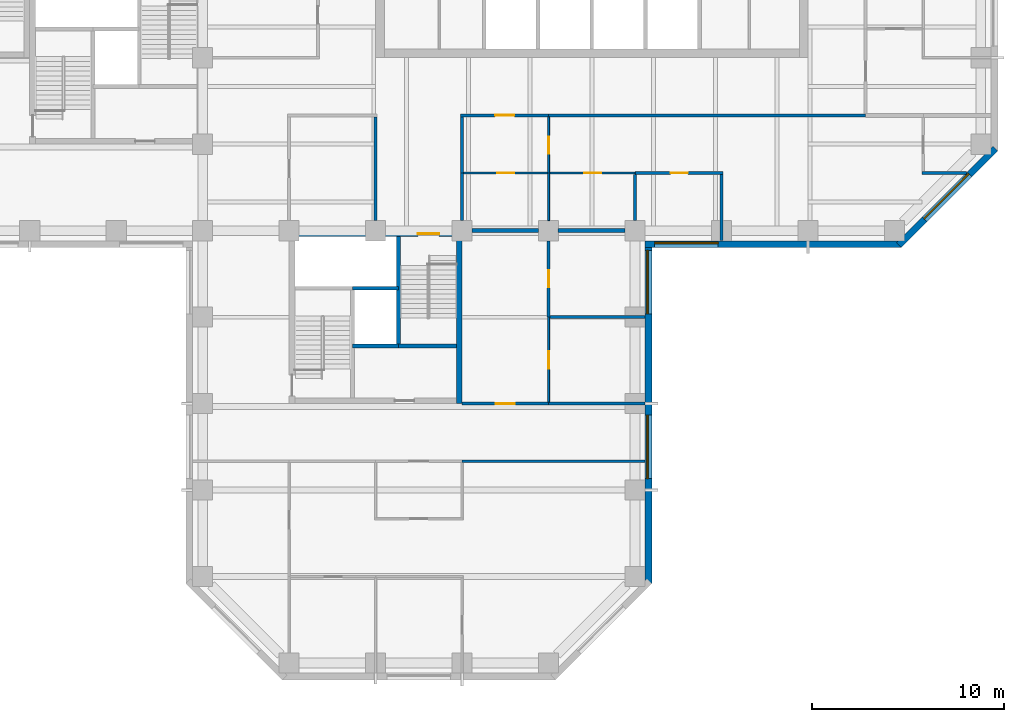
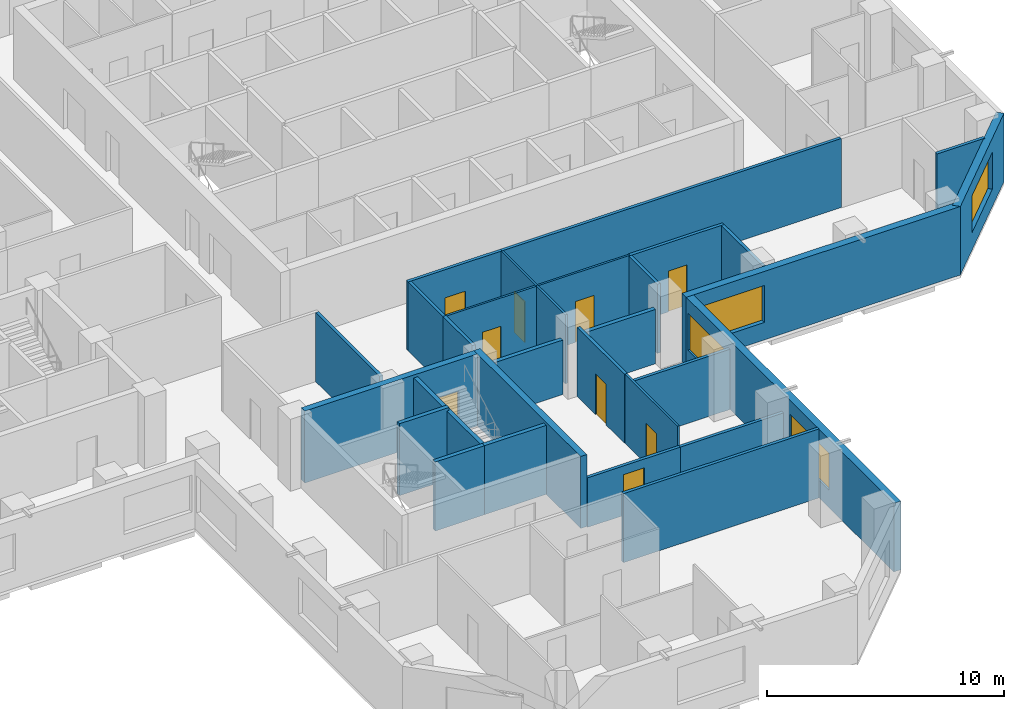
# One storey, part 4 of 11: 30 walls, 9 doors, 4 windows, 13 openings.
"""IFC4 building model written with IfcOpenShell, lengths in metres."""

from ifc_helpers import new_model, si_unit, direction, frame, frame_2d, origin, place, context, subcontext, project, spatial, rectangle, extrude, material, layer, layer_set, constituent, constituent_set, type_object, element, fill, save


model = new_model("IFC4")

# Units and contexts
model_context = context("Model", 3, precision=1e-05, world=origin(), true_north=direction((0.0, 1.0)))
body_context = subcontext(model_context, "Body", "Model", "MODEL_VIEW")
ifc_project = project(units=[si_unit("LENGTHUNIT", "METRE"), si_unit("AREAUNIT", "SQUARE_METRE"), si_unit("VOLUMEUNIT", "CUBIC_METRE"), si_unit("PLANEANGLEUNIT", "RADIAN"), si_unit("MASSUNIT", "GRAM", prefix="KILO")], contexts=[model_context])

# Site, building, storey
site_placement = place(None, origin())
site = spatial("IfcSite", under=ifc_project, at=site_placement, CompositionType="ELEMENT")
building_placement = place(site_placement, origin())
building = spatial("IfcBuilding", under=site, at=building_placement, Name="Quoin Convention Tower", CompositionType="ELEMENT")
storey_placement = place(building_placement, frame((0.0, 0.0, 108.5)))
storey = spatial("IfcBuildingStorey", under=building, at=storey_placement, Name="L28", CompositionType="ELEMENT", Elevation=108.5)

# Wall, opening, door
ifc_material_1 = material(Name="Plasterboard")
ifc_layer_1 = layer(ifc_material_1, 0.012451171875, Name="Finish")
ifc_material_2 = material(Name="Steel stud framing", Category="steel")
ifc_layer_2 = layer(ifc_material_2, 0.125, Name="Structure")
ifc_layer_3 = layer(ifc_material_1, 0.012451171875, Name="Finish")
ifc_layer_set_1 = layer_set([ifc_layer_1, ifc_layer_2, ifc_layer_3], Name="Steel stud framing")
wall_type_1 = type_object("IfcWallType", Name="Acoustic partition 150", PredefinedType="PARTITIONING", material=ifc_layer_set_1)
wall_1_placement = place(storey_placement, frame((58.5, 43.5, 0.0), z_axis=(0.0, 0.0, 1.0), x_axis=(1.0, 0.0, 0.0)))
wall_1 = element("IfcWall", 1, at=wall_1_placement, inside=storey, type_object=wall_type_1, Name="pw-L28-015", PredefinedType="PARTITIONING", context=body_context, shape_type="SweptSolid", body=[
    extrude(rectangle(XDim=4.574951171875, YDim=0.14990234375, at=frame_2d((2.28759765625, 0.0))), origin(), (0.0, 0.0, 1.0), 3.550048828125),
])
opening_1_placement = place(wall_1_placement, frame((1.85009765625, 0.0, 0.0)))
opening_1 = element("IfcOpeningElement", 2, at=opening_1_placement, cuts=wall_1, Name="Opening DOL5-07", PredefinedType="OPENING", context=body_context, shape_type="SweptSolid", body=[
    extrude(rectangle(XDim=0.89990234375, YDim=2.10009765625, at=frame_2d((0.449951171875, 1.050048828125))), frame((0.0, 0.0849609375, 0.0), z_axis=(0.0, -1.0, 0.0), x_axis=(1.0, 0.0, 0.0)), (0.0, 0.0, 1.0), 0.169921875),
])
ifc_material_3 = material(Name="Steel door leaf", Category="steel")
door_type_1 = type_object("IfcDoorType", Name="Office door 900 x 2100", OperationType="SINGLE_SWING_RIGHT", PredefinedType="DOOR", material=ifc_material_3)
door_1_placement = place(opening_1_placement, origin())
door_1 = element("IfcDoor", 3, at=door_1_placement, inside=storey, type_object=door_type_1, Name="dr-L28-27", OperationType="SINGLE_SWING_RIGHT", OverallHeight=2.10009765625, OverallWidth=0.89990234375, PredefinedType="DOOR", context=body_context, shape_type="SweptSolid", body=[
    extrude(rectangle(XDim=0.89990234375, YDim=2.10009765625, at=frame_2d((0.449951171875, 1.050048828125))), frame((0.0, 0.02490234375, 0.0), z_axis=(0.0, -1.0, 0.0), x_axis=(1.0, 0.0, 0.0)), (0.0, 0.0, 1.0), 0.050048828125),
])
fill(opening_1, door_1)

wall_2_placement = place(storey_placement, frame((54.0, 36.0, 0.0), z_axis=(0.0, 0.0, 1.0), x_axis=(0.0, 1.0, 0.0)))
wall_2 = element("IfcWall", 4, at=wall_2_placement, inside=storey, type_object=wall_type_1, Name="pw-L28-070", PredefinedType="PARTITIONING", context=body_context, shape_type="SweptSolid", body=[
    extrude(rectangle(XDim=3.97509765625, YDim=0.14990234375, at=frame_2d((1.987548828125, 0.0))), origin(), (0.0, 0.0, 1.0), 3.550048828125),
])
opening_2_placement = place(wall_2_placement, frame((1.550048828125, 0.0, 0.0)))
opening_2 = element("IfcOpeningElement", 5, at=opening_2_placement, cuts=wall_2, Name="Opening DOL5-27", PredefinedType="OPENING", context=body_context, shape_type="SweptSolid", body=[
    extrude(rectangle(XDim=0.89990234375, YDim=2.10009765625, at=frame_2d((0.449951171875, 1.050048828125))), frame((0.0, 0.0849609375, 0.0), z_axis=(0.0, -1.0, 0.0), x_axis=(1.0, 0.0, 0.0)), (0.0, 0.0, 1.0), 0.169921875),
])
door_2_placement = place(opening_2_placement, origin())
door_2 = element("IfcDoor", 6, at=door_2_placement, inside=storey, type_object=door_type_1, Name="dr-L28-21", OperationType="SINGLE_SWING_RIGHT", OverallHeight=2.10009765625, OverallWidth=0.89990234375, PredefinedType="DOOR", context=body_context, shape_type="SweptSolid", body=[
    extrude(rectangle(XDim=0.89990234375, YDim=2.10009765625, at=frame_2d((0.449951171875, 1.050048828125))), frame((0.0, 0.02490234375, 0.0), z_axis=(0.0, -1.0, 0.0), x_axis=(1.0, 0.0, 0.0)), (0.0, 0.0, 1.0), 0.050048828125),
])
fill(opening_2, door_2)

# Walls
wall_3_placement = place(storey_placement, frame((63.0, 39.97509765625, 0.0), z_axis=(0.0, 0.0, 1.0), x_axis=(0.0, 1.0, 0.0)))
element("IfcWall", 7, at=wall_3_placement, inside=storey, type_object=wall_type_1, Name="pw-L28-072", PredefinedType="PARTITIONING", context=body_context, shape_type="SweptSolid", body=[
    extrude(rectangle(XDim=3.449951171875, YDim=0.14990234375, at=frame_2d((1.72509765625, 0.0))), origin(), (0.0, 0.0, 1.0), 3.550048828125),
])
wall_4_placement = place(storey_placement, frame((58.5, 41.02490234375, 0.0), z_axis=(0.0, 0.0, 1.0), x_axis=(0.0, 1.0, 0.0)))
element("IfcWall", 8, at=wall_4_placement, inside=storey, type_object=wall_type_1, Name="pw-L28-077", PredefinedType="PARTITIONING", context=body_context, shape_type="SweptSolid", body=[
    extrude(rectangle(XDim=2.400146484375, YDim=0.14990234375, at=frame_2d((1.2001953125, 0.0))), origin(), (0.0, 0.0, 1.0), 3.550048828125),
])
ifc_layer_4 = layer(ifc_material_1, 0.012451171875, Name="Finish")
ifc_layer_5 = layer(ifc_material_2, 0.125, Name="Structure")
ifc_layer_6 = layer(ifc_material_1, 0.012451171875, Name="Finish")
ifc_layer_set_2 = layer_set([ifc_layer_4, ifc_layer_5, ifc_layer_6], Name="Steel stud framing")
wall_type_2 = type_object("IfcWallType", Name="Acoustic partition 150 under beam 454", PredefinedType="PARTITIONING", material=ifc_layer_set_2)
wall_5_placement = place(storey_placement, frame((54.074951171875, 36.0, 0.0), z_axis=(0.0, 0.0, 1.0), x_axis=(1.0, 0.0, 0.0)))
element("IfcWall", 9, at=wall_5_placement, inside=storey, type_object=wall_type_2, Name="pw-L28-010", PredefinedType="PARTITIONING", context=body_context, shape_type="SweptSolid", body=[
    extrude(rectangle(XDim=4.949951171875, YDim=0.14990234375, at=frame_2d((2.47509765625, 0.0))), origin(), (0.0, 0.0, 1.0), 3.095947265625),
])

# Wall, opening, window
ifc_material_4 = material(Name="Brick masonry", Category="masonry")
ifc_layer_7 = layer(ifc_material_4, 0.35009765625)
ifc_layer_set_3 = layer_set([ifc_layer_7], Name="Brick masonry")
wall_type_3 = type_object("IfcWallType", Name="Brick facade wall", PredefinedType="STANDARD", material=ifc_layer_set_3)
wall_6_placement = place(storey_placement, frame((59.02490234375, 39.800048828125, 0.0), z_axis=(0.0, 0.0, 1.0), x_axis=(1.0, 0.0, 0.0)))
wall_6 = element("IfcWall", 10, at=wall_6_placement, inside=storey, type_object=wall_type_3, Name="fw-L28-58500_40500", PredefinedType="STANDARD", context=body_context, shape_type="SweptSolid", body=[
    extrude(rectangle(XDim=13.33740234375, YDim=0.35009765625, at=frame_2d((6.668701171875, 0.0))), origin(), (0.0, 0.0, 1.0), 3.52490234375),
])
opening_3_placement = place(wall_6_placement, frame((0.5, 0.0, 0.89990234375)))
opening_3 = element("IfcOpeningElement", 11, at=opening_3_placement, cuts=wall_6, Name="Opening W-02", PredefinedType="OPENING", context=body_context, shape_type="SweptSolid", body=[
    extrude(rectangle(XDim=3.300048828125, YDim=1.89990234375, at=frame_2d((1.64990234375, 0.949951171875))), frame((0.0, 0.18505859375, 0.0), z_axis=(0.0, -1.0, 0.0), x_axis=(1.0, 0.0, 0.0)), (0.0, 0.0, 1.0), 0.3701171875),
])
ifc_material_5 = material(Name="Aluminium", Category="aluminium")
ifc_constituent_1 = constituent(ifc_material_5, Name="Frame")
ifc_material_6 = material(Name="Insulated glass", Category="glass")
ifc_constituent_2 = constituent(ifc_material_6, Name="Glazing")
ifc_constituent_set = constituent_set(constituents=[ifc_constituent_1, ifc_constituent_2], Name="Aluminium")
window_type = type_object("IfcWindowType", Name="Office window", PartitioningType="DOUBLE_PANEL_VERTICAL", PredefinedType="WINDOW", material=ifc_constituent_set)
window_1_placement = place(opening_3_placement, origin())
window_1 = element("IfcWindow", 12, at=window_1_placement, inside=storey, type_object=window_type, Name="win-L28-60750_39800", OverallHeight=1.89990234375, OverallWidth=3.300048828125, PartitioningType="SINGLE_PANEL", PredefinedType="WINDOW", context=body_context, shape_type="SweptSolid", body=[
    extrude(rectangle(XDim=3.300048828125, YDim=1.89990234375, at=frame_2d((1.64990234375, 0.949951171875))), frame((0.0, 0.0849609375, 0.0), z_axis=(0.0, -1.0, 0.0), x_axis=(1.0, 0.0, 0.0)), (0.0, 0.0, 1.0), 0.06005859375),
])
fill(opening_3, window_1)

wall_7_placement = place(storey_placement, frame((72.23876953125, 39.748779296875, 0.0), z_axis=(0.0, 0.0, 1.0), x_axis=(0.707106781187, 0.707106781187, 0.0)))
wall_7 = element("IfcWall", 13, at=wall_7_placement, inside=storey, type_object=wall_type_3, Name="fw-L28-72000_40500", PredefinedType="STANDARD", context=body_context, shape_type="SweptSolid", body=[
    extrude(rectangle(XDim=7.088623046875, YDim=0.35009765625, at=frame_2d((3.54443359375, 0.0))), origin(), (0.0, 0.0, 1.0), 3.52490234375),
])
opening_4_placement = place(wall_7_placement, frame((1.894287109375, 0.0, 0.89990234375)))
opening_4 = element("IfcOpeningElement", 14, at=opening_4_placement, cuts=wall_7, Name="Opening W-02", PredefinedType="OPENING", context=body_context, shape_type="SweptSolid", body=[
    extrude(rectangle(XDim=3.300048828125, YDim=1.89990234375, at=frame_2d((1.64990234375, 0.949951171875))), frame((0.0, 0.18505859375, 0.0), z_axis=(0.0, -1.0, 0.0), x_axis=(1.0, 0.0, 0.0)), (0.0, 0.0, 1.0), 0.3701171875),
])
window_2_placement = place(opening_4_placement, origin())
window_2 = element("IfcWindow", 15, at=window_2_placement, inside=storey, type_object=window_type, Name="win-L28-74745_42255", OverallHeight=1.89990234375, OverallWidth=3.300048828125, PartitioningType="SINGLE_PANEL", PredefinedType="WINDOW", context=body_context, shape_type="SweptSolid", body=[
    extrude(rectangle(XDim=3.300048828125, YDim=1.89990234375, at=frame_2d((1.64990234375, 0.949951171875))), frame((0.0, 0.0849609375, 0.0), z_axis=(0.0, -1.0, 0.0), x_axis=(1.0, 0.0, 0.0)), (0.0, 0.0, 1.0), 0.06005859375),
])
fill(opening_4, window_2)

# Wall, openings, windows
wall_8_placement = place(storey_placement, frame((59.199951171875, 22.1376953125, 0.0), z_axis=(0.0, 0.0, 1.0), x_axis=(0.0, 1.0, 0.0)))
wall_8 = element("IfcWall", 16, at=wall_8_placement, inside=storey, type_object=wall_type_3, Name="fw-L28-58500_22500", PredefinedType="STANDARD", context=body_context, shape_type="SweptSolid", body=[
    extrude(rectangle(XDim=17.83740234375, YDim=0.35009765625, at=frame_2d((8.918701171875, 0.0))), origin(), (0.0, 0.0, 1.0), 3.52490234375),
])
opening_5_placement = place(wall_8_placement, frame((5.46240234375, 0.0, 0.89990234375)))
opening_5 = element("IfcOpeningElement", 17, at=opening_5_placement, cuts=wall_8, Name="Opening W-02", PredefinedType="OPENING", context=body_context, shape_type="SweptSolid", body=[
    extrude(rectangle(XDim=3.300048828125, YDim=1.89990234375, at=frame_2d((1.64990234375, 0.949951171875))), frame((0.0, 0.18505859375, 0.0), z_axis=(0.0, -1.0, 0.0), x_axis=(1.0, 0.0, 0.0)), (0.0, 0.0, 1.0), 0.3701171875),
])
opening_6_placement = place(wall_8_placement, frame((14.037353515625, 0.0, 0.89990234375)))
opening_6 = element("IfcOpeningElement", 18, at=opening_6_placement, cuts=wall_8, Name="Opening W-02", PredefinedType="OPENING", context=body_context, shape_type="SweptSolid", body=[
    extrude(rectangle(XDim=3.300048828125, YDim=1.89990234375, at=frame_2d((1.64990234375, 0.949951171875))), frame((0.0, 0.18505859375, 0.0), z_axis=(0.0, -1.0, 0.0), x_axis=(1.0, 0.0, 0.0)), (0.0, 0.0, 1.0), 0.3701171875),
])
window_3_placement = place(opening_5_placement, origin())
window_3 = element("IfcWindow", 19, at=window_3_placement, inside=storey, type_object=window_type, Name="win-L28-59200_29250", OverallHeight=1.89990234375, OverallWidth=3.300048828125, PartitioningType="SINGLE_PANEL", PredefinedType="WINDOW", context=body_context, shape_type="SweptSolid", body=[
    extrude(rectangle(XDim=3.300048828125, YDim=1.89990234375, at=frame_2d((1.64990234375, 0.949951171875))), frame((0.0, 0.0849609375, 0.0), z_axis=(0.0, -1.0, 0.0), x_axis=(1.0, 0.0, 0.0)), (0.0, 0.0, 1.0), 0.06005859375),
])
fill(opening_5, window_3)
window_4_placement = place(opening_6_placement, origin())
window_4 = element("IfcWindow", 20, at=window_4_placement, inside=storey, type_object=window_type, Name="win-L28-59200_38250", OverallHeight=1.89990234375, OverallWidth=3.300048828125, PartitioningType="SINGLE_PANEL", PredefinedType="WINDOW", context=body_context, shape_type="SweptSolid", body=[
    extrude(rectangle(XDim=3.300048828125, YDim=1.89990234375, at=frame_2d((1.64990234375, 0.949951171875))), frame((0.0, 0.0849609375, 0.0), z_axis=(0.0, -1.0, 0.0), x_axis=(1.0, 0.0, 0.0)), (0.0, 0.0, 1.0), 0.06005859375),
])
fill(opening_6, window_4)

# Walls
ifc_material_7 = material(Name="Concrete C50", Category="concrete")
ifc_layer_8 = layer(ifc_material_7, 0.199951171875)
ifc_layer_set_4 = layer_set([ifc_layer_8], Name="Concrete C50")
wall_type_4 = type_object("IfcWallType", Name="Core shaft wall", PredefinedType="SOLIDWALL", material=ifc_layer_set_4)
wall_9_placement = place(storey_placement, frame((43.800048828125, 34.5, 0.0), z_axis=(0.0, 0.0, 1.0), x_axis=(1.0, 0.0, 0.0)))
element("IfcWall", 21, at=wall_9_placement, inside=storey, type_object=wall_type_4, Name="cr-P3-L28-h3000_3300", PredefinedType="SOLIDWALL", context=body_context, shape_type="SweptSolid", body=[
    extrude(rectangle(XDim=2.39990234375, YDim=0.199951171875, at=frame_2d((1.199951171875, 0.0))), origin(), (0.0, 0.0, 1.0), 3.550048828125),
])
wall_10_placement = place(storey_placement, frame((46.199951171875, 34.5, 0.0), z_axis=(0.0, 0.0, 1.0), x_axis=(1.0, 0.0, 0.0)))
element("IfcWall", 22, at=wall_10_placement, inside=storey, type_object=wall_type_4, Name="cr-P3-L28-h3000_5700", PredefinedType="SOLIDWALL", context=body_context, shape_type="SweptSolid", body=[
    extrude(rectangle(XDim=3.0, YDim=0.199951171875, at=frame_2d((1.5, 0.0))), origin(), (0.0, 0.0, 1.0), 3.550048828125),
])
wall_11_placement = place(storey_placement, frame((46.199951171875, 34.5, 0.0), z_axis=(0.0, 0.0, 1.0), x_axis=(0.0, 1.0, 0.0)))
element("IfcWall", 23, at=wall_11_placement, inside=storey, type_object=wall_type_4, Name="cr-P3-L28-v5700_3000", PredefinedType="SOLIDWALL", context=body_context, shape_type="SweptSolid", body=[
    extrude(rectangle(XDim=5.699951171875, YDim=0.199951171875, at=frame_2d((2.85009765625, 0.0))), origin(), (0.0, 0.0, 1.0), 3.550048828125),
])
ifc_layer_9 = layer(ifc_material_7, 0.199951171875)
ifc_layer_set_5 = layer_set([ifc_layer_9], Name="Concrete C50")
wall_type_5 = type_object("IfcWallType", Name="Core shaft wall to the floor level over", PredefinedType="SOLIDWALL", material=ifc_layer_set_5)
wall_12_placement = place(storey_placement, frame((43.800048828125, 37.5, 0.0), z_axis=(0.0, 0.0, 1.0), x_axis=(1.0, 0.0, 0.0)))
element("IfcWall", 24, at=wall_12_placement, inside=storey, type_object=wall_type_5, Name="cr-P3-L28-h6000_3300", PredefinedType="SOLIDWALL", context=body_context, shape_type="SweptSolid", body=[
    extrude(rectangle(XDim=2.39990234375, YDim=0.199951171875, at=frame_2d((1.199951171875, 0.0))), origin(), (0.0, 0.0, 1.0), 3.699951171875),
])
ifc_layer_10 = layer(ifc_material_1, 0.012451171875, Name="Finish")
ifc_layer_11 = layer(ifc_material_2, 0.125, Name="Structure")
ifc_layer_12 = layer(ifc_material_1, 0.012451171875, Name="Finish")
ifc_layer_set_6 = layer_set([ifc_layer_10, ifc_layer_11, ifc_layer_12], Name="Steel stud framing")
wall_type_6 = type_object("IfcWallType", Name="Corridor wall 150", PredefinedType="PARTITIONING", material=ifc_layer_set_6)
wall_13_placement = place(storey_placement, frame((49.5, 28.5, 0.0), z_axis=(0.0, 0.0, 1.0), x_axis=(1.0, 0.0, 0.0)))
element("IfcWall", 25, at=wall_13_placement, inside=storey, type_object=wall_type_6, Name="pw-L28-007", PredefinedType="PARTITIONING", context=body_context, shape_type="SweptSolid", body=[
    extrude(rectangle(XDim=9.52490234375, YDim=0.14990234375, at=frame_2d((4.762451171875, 0.0))), origin(), (0.0, 0.0, 1.0), 3.550048828125),
])

# Wall, opening, door
wall_14_placement = place(storey_placement, frame((49.425048828125, 46.5, 0.0), z_axis=(0.0, 0.0, 1.0), x_axis=(1.0, 0.0, 0.0)))
wall_14 = element("IfcWall", 26, at=wall_14_placement, inside=storey, type_object=wall_type_6, Name="pw-L28-021", PredefinedType="PARTITIONING", context=body_context, shape_type="SweptSolid", body=[
    extrude(rectangle(XDim=4.574951171875, YDim=0.14990234375, at=frame_2d((2.28759765625, 0.0))), origin(), (0.0, 0.0, 1.0), 3.550048828125),
])
opening_7_placement = place(wall_14_placement, frame((1.800048828125, 0.0, 0.0)))
opening_7 = element("IfcOpeningElement", 27, at=opening_7_placement, cuts=wall_14, Name="Opening DOL5-08", PredefinedType="OPENING", context=body_context, shape_type="SweptSolid", body=[
    extrude(rectangle(XDim=1.0, YDim=2.10009765625, at=frame_2d((0.5, 1.050048828125))), frame((0.0, 0.0849609375, 0.0), z_axis=(0.0, -1.0, 0.0), x_axis=(1.0, 0.0, 0.0)), (0.0, 0.0, 1.0), 0.169921875),
])
door_type_2 = type_object("IfcDoorType", Name="Tenancy entrance door 1000 x 2100", OperationType="DOUBLE_DOOR_SINGLE_SWING", PredefinedType="DOOR", material=ifc_material_3)
door_3_placement = place(opening_7_placement, frame((1.0, 0.0, 0.0), z_axis=(0.0, 0.0, 1.0), x_axis=(-1.0, 0.0, 0.0)))
door_3 = element("IfcDoor", 28, at=door_3_placement, inside=storey, type_object=door_type_2, Name="dr-L28-22", OperationType="DOUBLE_DOOR_SINGLE_SWING", OverallHeight=2.10009765625, OverallWidth=1.0, PredefinedType="DOOR", context=body_context, shape_type="SweptSolid", body=[
    extrude(rectangle(XDim=1.0, YDim=2.10009765625, at=frame_2d((0.5, 1.050048828125))), frame((0.0, 0.02490234375, 0.0), z_axis=(0.0, -1.0, 0.0), x_axis=(1.0, 0.0, 0.0)), (0.0, 0.0, 1.0), 0.050048828125),
])
fill(opening_7, door_3)

# Walls
wall_15_placement = place(storey_placement, frame((54.0, 46.5, 0.0), z_axis=(0.0, 0.0, 1.0), x_axis=(1.0, 0.0, 0.0)))
element("IfcWall", 29, at=wall_15_placement, inside=storey, type_object=wall_type_6, Name="pw-L28-022", PredefinedType="PARTITIONING", context=body_context, shape_type="SweptSolid", body=[
    extrude(rectangle(XDim=16.5, YDim=0.14990234375, at=frame_2d((8.25, 0.0))), origin(), (0.0, 0.0, 1.0), 3.550048828125),
])
wall_16_placement = place(storey_placement, frame((45.0, 41.02490234375, 0.0), z_axis=(0.0, 0.0, 1.0), x_axis=(0.0, 1.0, 0.0)))
element("IfcWall", 30, at=wall_16_placement, inside=storey, type_object=wall_type_6, Name="pw-L28-074", PredefinedType="PARTITIONING", context=body_context, shape_type="SweptSolid", body=[
    extrude(rectangle(XDim=5.400146484375, YDim=0.14990234375, at=frame_2d((2.7001953125, 0.0))), origin(), (0.0, 0.0, 1.0), 3.550048828125),
])
wall_17_placement = place(storey_placement, frame((49.5, 41.02490234375, 0.0), z_axis=(0.0, 0.0, 1.0), x_axis=(0.0, 1.0, 0.0)))
element("IfcWall", 31, at=wall_17_placement, inside=storey, type_object=wall_type_6, Name="pw-L28-075", PredefinedType="PARTITIONING", context=body_context, shape_type="SweptSolid", body=[
    extrude(rectangle(XDim=2.47509765625, YDim=0.14990234375, at=frame_2d((1.237548828125, 0.0))), origin(), (0.0, 0.0, 1.0), 3.550048828125),
])
wall_18_placement = place(storey_placement, frame((49.5, 43.5, 0.0), z_axis=(0.0, 0.0, 1.0), x_axis=(0.0, 1.0, 0.0)))
element("IfcWall", 32, at=wall_18_placement, inside=storey, type_object=wall_type_6, Name="pw-L28-078", PredefinedType="PARTITIONING", context=body_context, shape_type="SweptSolid", body=[
    extrude(rectangle(XDim=2.925048828125, YDim=0.14990234375, at=frame_2d((1.46240234375, 0.0))), origin(), (0.0, 0.0, 1.0), 3.550048828125),
])

# Wall, opening, door
ifc_layer_13 = layer(ifc_material_1, 0.012451171875, Name="Finish")
ifc_layer_14 = layer(ifc_material_2, 0.125, Name="Structure")
ifc_layer_15 = layer(ifc_material_1, 0.012451171875, Name="Finish")
ifc_layer_set_7 = layer_set([ifc_layer_13, ifc_layer_14, ifc_layer_15], Name="Steel stud framing")
wall_type_7 = type_object("IfcWallType", Name="Corridor wall 150 under beam 1000", PredefinedType="PARTITIONING", material=ifc_layer_set_7)
wall_19_placement = place(storey_placement, frame((49.5, 31.5, 0.0), z_axis=(0.0, 0.0, 1.0), x_axis=(1.0, 0.0, 0.0)))
wall_19 = element("IfcWall", 33, at=wall_19_placement, inside=storey, type_object=wall_type_7, Name="pw-L28-008", PredefinedType="PARTITIONING", context=body_context, shape_type="SweptSolid", body=[
    extrude(rectangle(XDim=4.5, YDim=0.14990234375, at=frame_2d((2.25, 0.0))), origin(), (0.0, 0.0, 1.0), 2.550048828125),
])
opening_8_placement = place(wall_19_placement, frame((1.75, 0.0, 0.0)))
opening_8 = element("IfcOpeningElement", 34, at=opening_8_placement, cuts=wall_19, Name="Opening DOL5-04", PredefinedType="OPENING", context=body_context, shape_type="SweptSolid", body=[
    extrude(rectangle(XDim=1.0, YDim=2.10009765625, at=frame_2d((0.5, 1.050048828125))), frame((0.0, 0.0849609375, 0.0), z_axis=(0.0, -1.0, 0.0), x_axis=(1.0, 0.0, 0.0)), (0.0, 0.0, 1.0), 0.169921875),
])
door_4_placement = place(opening_8_placement, origin())
door_4 = element("IfcDoor", 35, at=door_4_placement, inside=storey, type_object=door_type_2, Name="dr-L28-19", OperationType="DOUBLE_DOOR_SINGLE_SWING", OverallHeight=2.10009765625, OverallWidth=1.0, PredefinedType="DOOR", context=body_context, shape_type="SweptSolid", body=[
    extrude(rectangle(XDim=1.0, YDim=2.10009765625, at=frame_2d((0.5, 1.050048828125))), frame((0.0, 0.02490234375, 0.0), z_axis=(0.0, -1.0, 0.0), x_axis=(1.0, 0.0, 0.0)), (0.0, 0.0, 1.0), 0.050048828125),
])
fill(opening_8, door_4)

# Wall
wall_20_placement = place(storey_placement, frame((54.0, 31.5, 0.0), z_axis=(0.0, 0.0, 1.0), x_axis=(1.0, 0.0, 0.0)))
element("IfcWall", 36, at=wall_20_placement, inside=storey, type_object=wall_type_7, Name="pw-L28-009", PredefinedType="PARTITIONING", context=body_context, shape_type="SweptSolid", body=[
    extrude(rectangle(XDim=5.02490234375, YDim=0.14990234375, at=frame_2d((2.512451171875, 0.0))), origin(), (0.0, 0.0, 1.0), 2.550048828125),
])

# Wall, opening, door
ifc_material_8 = material(Name="Concrete C65", Category="concrete")
ifc_layer_16 = layer(ifc_material_8, 0.300048828125)
ifc_layer_set_8 = layer_set([ifc_layer_16], Name="Concrete C65")
wall_type_8 = type_object("IfcWallType", Name="RC CORE WALL 300 C65", PredefinedType="SHEAR", material=ifc_layer_set_8)
wall_21_placement = place(storey_placement, frame((40.800048828125, 40.35009765625, 0.0), z_axis=(0.0, 0.0, 1.0), x_axis=(1.0, 0.0, 0.0)))
wall_21 = element("IfcWall", 37, at=wall_21_placement, inside=storey, type_object=wall_type_8, Name="cwl-P3-L28-N", PredefinedType="SHEAR", context=body_context, shape_type="SweptSolid", body=[
    extrude(rectangle(XDim=8.39990234375, YDim=0.300048828125, at=frame_2d((4.199951171875, 0.0))), origin(), (0.0, 0.0, 1.0), 3.699951171875),
])
opening_9_placement = place(wall_21_placement, frame((6.39990234375, 0.0, 0.0)))
opening_9 = element("IfcOpeningElement", 38, at=opening_9_placement, cuts=wall_21, Name="Opening SD6", PredefinedType="OPENING", context=body_context, shape_type="SweptSolid", body=[
    extrude(rectangle(XDim=1.10009765625, YDim=2.10009765625, at=frame_2d((0.550048828125, 1.050048828125))), frame((0.0, 0.159912109375, 0.0), z_axis=(0.0, -1.0, 0.0), x_axis=(1.0, 0.0, 0.0)), (0.0, 0.0, 1.0), 0.320068359375),
])
door_type_3 = type_object("IfcDoorType", Name="Stair door 1100 x 2100", OperationType="SINGLE_SWING_RIGHT", PredefinedType="DOOR", material=ifc_material_3)
door_5_placement = place(opening_9_placement, frame((1.10009765625, 0.0, 0.0), z_axis=(0.0, 0.0, 1.0), x_axis=(-1.0, 0.0, 0.0)))
door_5 = element("IfcDoor", 39, at=door_5_placement, inside=storey, type_object=door_type_3, Name="cd-P3-L28-SB-N", OperationType="SINGLE_SWING_LEFT", OverallHeight=2.10009765625, OverallWidth=1.10009765625, PredefinedType="DOOR", context=body_context, shape_type="SweptSolid", body=[
    extrude(rectangle(XDim=1.10009765625, YDim=2.10009765625, at=frame_2d((0.550048828125, 1.050048828125))), frame((0.0, 0.02490234375, 0.0), z_axis=(0.0, -1.0, 0.0), x_axis=(1.0, 0.0, 0.0)), (0.0, 0.0, 1.0), 0.050048828125),
])
fill(opening_9, door_5)

# Wall
wall_22_placement = place(storey_placement, frame((49.35009765625, 31.5, 0.0), z_axis=(0.0, 0.0, 1.0), x_axis=(0.0, 1.0, 0.0)))
element("IfcWall", 40, at=wall_22_placement, inside=storey, type_object=wall_type_8, Name="cwl-P3-L28-E", PredefinedType="SHEAR", context=body_context, shape_type="SweptSolid", body=[
    extrude(rectangle(XDim=9.0, YDim=0.300048828125, at=frame_2d((4.5, 0.0))), origin(), (0.0, 0.0, 1.0), 3.699951171875),
])

# Wall, opening, door
ifc_layer_17 = layer(ifc_material_1, 0.012451171875, Name="Finish")
ifc_layer_18 = layer(ifc_material_2, 0.074951171875, Name="Structure")
ifc_layer_19 = layer(ifc_material_1, 0.012451171875, Name="Finish")
ifc_layer_set_9 = layer_set([ifc_layer_17, ifc_layer_18, ifc_layer_19], Name="Steel stud framing")
wall_type_9 = type_object("IfcWallType", Name="Stud partition 100", PredefinedType="PARTITIONING", material=ifc_layer_set_9)
wall_23_placement = place(storey_placement, frame((49.574951171875, 43.5, 0.0), z_axis=(0.0, 0.0, 1.0), x_axis=(1.0, 0.0, 0.0)))
wall_23 = element("IfcWall", 41, at=wall_23_placement, inside=storey, type_object=wall_type_9, Name="pw-L28-013", PredefinedType="PARTITIONING", context=body_context, shape_type="SweptSolid", body=[
    extrude(rectangle(XDim=4.375, YDim=0.10009765625, at=frame_2d((2.1875, 0.0))), origin(), (0.0, 0.0, 1.0), 3.550048828125),
])
opening_10_placement = place(wall_23_placement, frame((1.75, 0.0, 0.0)))
opening_10 = element("IfcOpeningElement", 42, at=opening_10_placement, cuts=wall_23, Name="Opening DOL5-05", PredefinedType="OPENING", context=body_context, shape_type="SweptSolid", body=[
    extrude(rectangle(XDim=0.89990234375, YDim=2.10009765625, at=frame_2d((0.449951171875, 1.050048828125))), frame((0.0, 0.06005859375, 0.0), z_axis=(0.0, -1.0, 0.0), x_axis=(1.0, 0.0, 0.0)), (0.0, 0.0, 1.0), 0.1201171875),
])
door_6_placement = place(opening_10_placement, origin())
door_6 = element("IfcDoor", 43, at=door_6_placement, inside=storey, type_object=door_type_1, Name="dr-L28-24", OperationType="SINGLE_SWING_RIGHT", OverallHeight=2.10009765625, OverallWidth=0.89990234375, PredefinedType="DOOR", context=body_context, shape_type="SweptSolid", body=[
    extrude(rectangle(XDim=0.89990234375, YDim=2.10009765625, at=frame_2d((0.449951171875, 1.050048828125))), frame((0.0, 0.02490234375, 0.0), z_axis=(0.0, -1.0, 0.0), x_axis=(1.0, 0.0, 0.0)), (0.0, 0.0, 1.0), 0.050048828125),
])
fill(opening_10, door_6)

wall_24_placement = place(storey_placement, frame((54.050048828125, 43.5, 0.0), z_axis=(0.0, 0.0, 1.0), x_axis=(1.0, 0.0, 0.0)))
wall_24 = element("IfcWall", 44, at=wall_24_placement, inside=storey, type_object=wall_type_9, Name="pw-L28-014", PredefinedType="PARTITIONING", context=body_context, shape_type="SweptSolid", body=[
    extrude(rectangle(XDim=4.449951171875, YDim=0.10009765625, at=frame_2d((2.22509765625, 0.0))), origin(), (0.0, 0.0, 1.0), 3.550048828125),
])
opening_11_placement = place(wall_24_placement, frame((1.800048828125, 0.0, 0.0)))
opening_11 = element("IfcOpeningElement", 45, at=opening_11_placement, cuts=wall_24, Name="Opening DOL5-06", PredefinedType="OPENING", context=body_context, shape_type="SweptSolid", body=[
    extrude(rectangle(XDim=0.89990234375, YDim=2.10009765625, at=frame_2d((0.449951171875, 1.050048828125))), frame((0.0, 0.06005859375, 0.0), z_axis=(0.0, -1.0, 0.0), x_axis=(1.0, 0.0, 0.0)), (0.0, 0.0, 1.0), 0.1201171875),
])
door_7_placement = place(opening_11_placement, origin())
door_7 = element("IfcDoor", 46, at=door_7_placement, inside=storey, type_object=door_type_1, Name="dr-L28-25", OperationType="SINGLE_SWING_RIGHT", OverallHeight=2.10009765625, OverallWidth=0.89990234375, PredefinedType="DOOR", context=body_context, shape_type="SweptSolid", body=[
    extrude(rectangle(XDim=0.89990234375, YDim=2.10009765625, at=frame_2d((0.449951171875, 1.050048828125))), frame((0.0, 0.02490234375, 0.0), z_axis=(0.0, -1.0, 0.0), x_axis=(1.0, 0.0, 0.0)), (0.0, 0.0, 1.0), 0.050048828125),
])
fill(opening_11, door_7)

wall_25_placement = place(storey_placement, frame((54.0, 31.574951171875, 0.0), z_axis=(0.0, 0.0, 1.0), x_axis=(0.0, 1.0, 0.0)))
wall_25 = element("IfcWall", 47, at=wall_25_placement, inside=storey, type_object=wall_type_9, Name="pw-L28-069", PredefinedType="PARTITIONING", context=body_context, shape_type="SweptSolid", body=[
    extrude(rectangle(XDim=4.425048828125, YDim=0.10009765625, at=frame_2d((2.21240234375, 0.0))), origin(), (0.0, 0.0, 1.0), 3.550048828125),
])
opening_12_placement = place(wall_25_placement, frame((1.75, 0.0, 0.0)))
opening_12 = element("IfcOpeningElement", 48, at=opening_12_placement, cuts=wall_25, Name="Opening DOL5-26", PredefinedType="OPENING", context=body_context, shape_type="SweptSolid", body=[
    extrude(rectangle(XDim=0.89990234375, YDim=2.10009765625, at=frame_2d((0.449951171875, 1.050048828125))), frame((0.0, 0.06005859375, 0.0), z_axis=(0.0, -1.0, 0.0), x_axis=(1.0, 0.0, 0.0)), (0.0, 0.0, 1.0), 0.1201171875),
])
door_8_placement = place(opening_12_placement, origin())
door_8 = element("IfcDoor", 49, at=door_8_placement, inside=storey, type_object=door_type_1, Name="dr-L28-20", OperationType="SINGLE_SWING_RIGHT", OverallHeight=2.10009765625, OverallWidth=0.89990234375, PredefinedType="DOOR", context=body_context, shape_type="SweptSolid", body=[
    extrude(rectangle(XDim=0.89990234375, YDim=2.10009765625, at=frame_2d((0.449951171875, 1.050048828125))), frame((0.0, 0.02490234375, 0.0), z_axis=(0.0, -1.0, 0.0), x_axis=(1.0, 0.0, 0.0)), (0.0, 0.0, 1.0), 0.050048828125),
])
fill(opening_12, door_8)

# Wall
wall_26_placement = place(storey_placement, frame((54.0, 41.02490234375, 0.0), z_axis=(0.0, 0.0, 1.0), x_axis=(0.0, 1.0, 0.0)))
element("IfcWall", 50, at=wall_26_placement, inside=storey, type_object=wall_type_9, Name="pw-L28-076", PredefinedType="PARTITIONING", context=body_context, shape_type="SweptSolid", body=[
    extrude(rectangle(XDim=2.47509765625, YDim=0.10009765625, at=frame_2d((1.237548828125, 0.0))), origin(), (0.0, 0.0, 1.0), 3.550048828125),
])

# Wall, opening, door
wall_27_placement = place(storey_placement, frame((54.0, 43.5, 0.0), z_axis=(0.0, 0.0, 1.0), x_axis=(0.0, 1.0, 0.0)))
wall_27 = element("IfcWall", 51, at=wall_27_placement, inside=storey, type_object=wall_type_9, Name="pw-L28-079", PredefinedType="PARTITIONING", context=body_context, shape_type="SweptSolid", body=[
    extrude(rectangle(XDim=2.925048828125, YDim=0.10009765625, at=frame_2d((1.46240234375, 0.0))), origin(), (0.0, 0.0, 1.0), 3.550048828125),
])
opening_13_placement = place(wall_27_placement, frame((1.0, 0.0, 0.0)))
opening_13 = element("IfcOpeningElement", 52, at=opening_13_placement, cuts=wall_27, Name="Opening DOL5-29", PredefinedType="OPENING", context=body_context, shape_type="SweptSolid", body=[
    extrude(rectangle(XDim=0.89990234375, YDim=2.10009765625, at=frame_2d((0.449951171875, 1.050048828125))), frame((0.0, 0.06005859375, 0.0), z_axis=(0.0, -1.0, 0.0), x_axis=(1.0, 0.0, 0.0)), (0.0, 0.0, 1.0), 0.1201171875),
])
door_9_placement = place(opening_13_placement, frame((0.89990234375, 0.0, 0.0), z_axis=(0.0, 0.0, 1.0), x_axis=(-1.0, 0.0, 0.0)))
door_9 = element("IfcDoor", 53, at=door_9_placement, inside=storey, type_object=door_type_1, Name="dr-L28-23", OperationType="SINGLE_SWING_RIGHT", OverallHeight=2.10009765625, OverallWidth=0.89990234375, PredefinedType="DOOR", context=body_context, shape_type="SweptSolid", body=[
    extrude(rectangle(XDim=0.89990234375, YDim=2.10009765625, at=frame_2d((0.449951171875, 1.050048828125))), frame((0.0, 0.02490234375, 0.0), z_axis=(0.0, -1.0, 0.0), x_axis=(1.0, 0.0, 0.0)), (0.0, 0.0, 1.0), 0.050048828125),
])
fill(opening_13, door_9)

# Walls
ifc_layer_20 = layer(ifc_material_1, 0.012451171875, Name="Finish")
ifc_layer_21 = layer(ifc_material_2, 0.175048828125, Name="Structure")
ifc_layer_22 = layer(ifc_material_1, 0.012451171875, Name="Finish")
ifc_layer_set_10 = layer_set([ifc_layer_20, ifc_layer_21, ifc_layer_22], Name="Steel stud framing")
wall_type_10 = type_object("IfcWallType", Name="Tenancy demising wall 200 under beam 750", PredefinedType="PARTITIONING", material=ifc_layer_set_10)
wall_28_placement = place(storey_placement, frame((50.014892578125, 40.5, 0.0), z_axis=(0.0, 0.0, 1.0), x_axis=(1.0, 0.0, 0.0)))
element("IfcWall", 54, at=wall_28_placement, inside=storey, type_object=wall_type_10, Name="pw-L28-011", PredefinedType="PARTITIONING", context=body_context, shape_type="SweptSolid", body=[
    extrude(rectangle(XDim=3.460205078125, YDim=0.199951171875, at=frame_2d((1.72998046875, 0.0))), origin(), (0.0, 0.0, 1.0), 2.800048828125),
])
wall_29_placement = place(storey_placement, frame((54.4951171875, 40.5, 0.0), z_axis=(0.0, 0.0, 1.0), x_axis=(1.0, 0.0, 0.0)))
element("IfcWall", 55, at=wall_29_placement, inside=storey, type_object=wall_type_10, Name="pw-L28-012", PredefinedType="PARTITIONING", context=body_context, shape_type="SweptSolid", body=[
    extrude(rectangle(XDim=3.47998046875, YDim=0.199951171875, at=frame_2d((1.739990234375, 0.0))), origin(), (0.0, 0.0, 1.0), 2.800048828125),
])
ifc_layer_23 = layer(ifc_material_1, 0.012451171875, Name="Finish")
ifc_layer_24 = layer(ifc_material_2, 0.125, Name="Structure")
ifc_layer_25 = layer(ifc_material_1, 0.012451171875, Name="Finish")
ifc_layer_set_11 = layer_set([ifc_layer_23, ifc_layer_24, ifc_layer_25], Name="Steel stud framing")
wall_type_11 = type_object("IfcWallType", Name="Wet area partition 150", PredefinedType="PARTITIONING", material=ifc_layer_set_11)
wall_30_placement = place(storey_placement, frame((73.425048828125, 43.5, 0.0), z_axis=(0.0, 0.0, 1.0), x_axis=(1.0, 0.0, 0.0)))
element("IfcWall", 56, at=wall_30_placement, inside=storey, type_object=wall_type_11, Name="pw-L28-016", PredefinedType="PARTITIONING", context=body_context, shape_type="SweptSolid", body=[
    extrude(rectangle(XDim=2.3173828125, YDim=0.14990234375, at=frame_2d((1.15869140625, 0.0))), origin(), (0.0, 0.0, 1.0), 3.550048828125),
])

save(model, "model.ifc")
